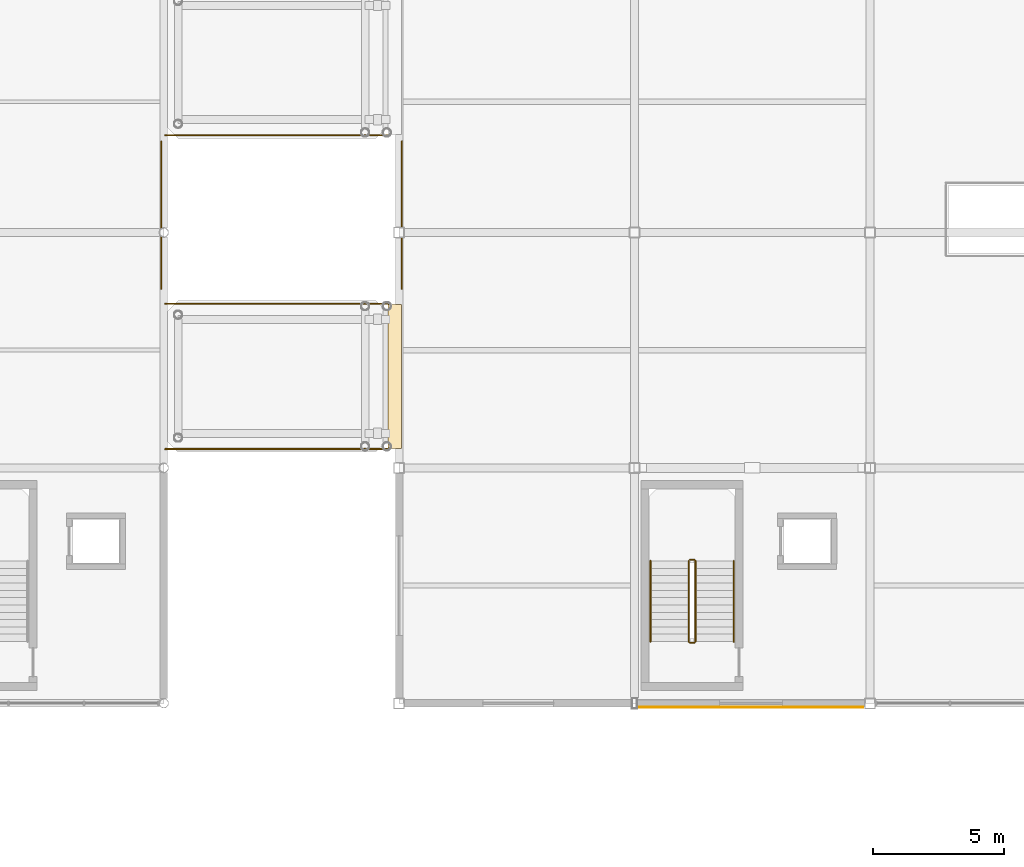
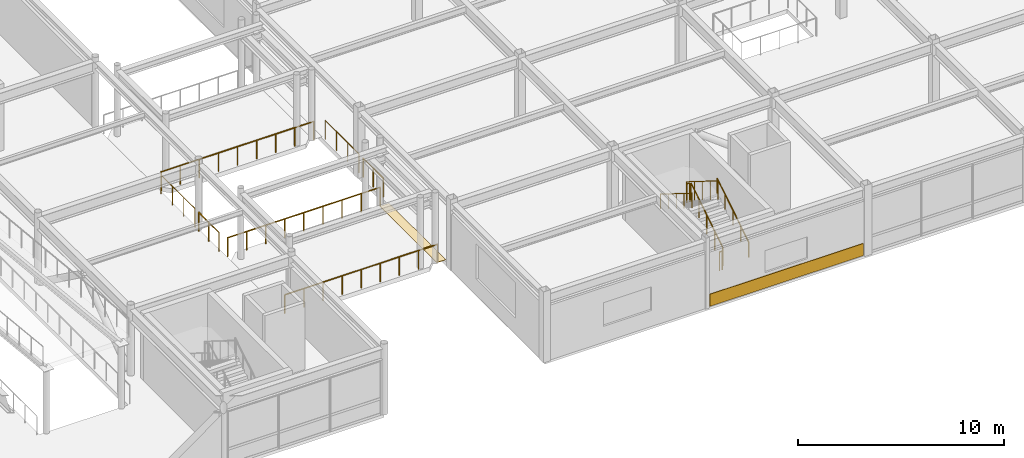
# One storey, part 60 of 70: 13 railings, 2 coverings.
"""IFC4 building model written with IfcOpenShell, lengths in metres."""

from ifc_helpers import new_model, si_unit, direction, frame, origin, origin_2d, place, context, subcontext, project, spatial, polyline, rectangle, circle, outline, extrude, material, layer, layer_set, type_object, element, save


model = new_model("IFC4")

# Units and contexts
model_context = context("Model", 3, precision=1e-05, world=origin(), true_north=direction((0.0, 1.0)))
body_context = subcontext(model_context, "Body", "Model", "MODEL_VIEW")
ifc_project = project(units=[si_unit("LENGTHUNIT", "METRE"), si_unit("AREAUNIT", "SQUARE_METRE"), si_unit("VOLUMEUNIT", "CUBIC_METRE"), si_unit("PLANEANGLEUNIT", "RADIAN"), si_unit("MASSUNIT", "GRAM", prefix="KILO")], contexts=[model_context])

# Site, building, storey
site_placement = place(None, origin())
site = spatial("IfcSite", under=ifc_project, at=site_placement, CompositionType="ELEMENT")
building_placement = place(site_placement, origin())
building = spatial("IfcBuilding", under=site, at=building_placement, Name="Suzunagisa Mobility Hub", CompositionType="ELEMENT")
storey_placement = place(building_placement, frame((0.0, 0.0, 13.5)))
storey = spatial("IfcBuildingStorey", under=building, at=storey_placement, Name="L03", CompositionType="ELEMENT", Elevation=13.5)

# Railings
ifc_material_1 = material(Name="Stainless Steel SUS304", Category="metal")
railing_type_1 = type_object("IfcRailingType", Name="Interior Well Guardrail IGR-01", PredefinedType="GUARDRAIL", material=ifc_material_1)
railing_1_placement = place(storey_placement, frame((56.330078125, 82.360107421875, 0.175048828125)))
element("IfcRailing", 1, at=railing_1_placement, inside=storey, type_object=railing_type_1, Name="L03 ST-07 stair guard 1", PredefinedType="GUARDRAIL", context=body_context, shape_type="SweptSolid", body=[
    extrude(circle(Radius=0.02392578125, at=origin_2d()), frame((0.0, 0.0, 1.09619140625), z_axis=(0.0, 0.847979421464, 0.530029150871), x_axis=(-1.0, 0.0, 0.0)), (0.0, 0.0, 1.0), 3.632080078125),
    extrude(circle(Radius=0.02099609375, at=origin_2d()), origin(), (0.0, 0.0, 1.0), 1.072021484375),
    extrude(circle(Radius=0.02099609375, at=origin_2d()), frame((0.0, 0.77001953125, 0.481201171875)), (0.0, 0.0, 1.0), 1.072021484375),
    extrude(circle(Radius=0.02099609375, at=origin_2d()), frame((0.0, 1.5400390625, 0.96240234375)), (0.0, 0.0, 1.0), 1.072021484375),
    extrude(circle(Radius=0.02099609375, at=origin_2d()), frame((0.0, 2.309814453125, 1.44384765625)), (0.0, 0.0, 1.0), 1.072021484375),
    extrude(circle(Radius=0.02099609375, at=origin_2d()), frame((0.0, 3.079833984375, 1.925048828125)), (0.0, 0.0, 1.0), 1.072021484375),
])
railing_2_placement = place(storey_placement, frame((56.280029296875, 85.489990234375, 2.10009765625)))
element("IfcRailing", 2, at=railing_2_placement, inside=storey, type_object=railing_type_1, Name="L03 ST-07 stair guard 2", PredefinedType="GUARDRAIL", context=body_context, shape_type="SweptSolid", body=[
    extrude(circle(Radius=0.02392578125, at=origin_2d()), frame((0.0, 0.0, 1.09619140625), z_axis=(-1.0, 0.0, 0.0), x_axis=(0.0, -1.0, 0.0)), (0.0, 0.0, 1.0), 0.159912109375),
    extrude(circle(Radius=0.02099609375, at=origin_2d()), origin(), (0.0, 0.0, 1.0), 1.072021484375),
    extrude(circle(Radius=0.02099609375, at=origin_2d()), frame((-0.159912109375, 0.0, 0.0)), (0.0, 0.0, 1.0), 1.072021484375),
])
railing_3_placement = place(storey_placement, frame((56.070068359375, 85.43994140625, 2.27490234375)))
element("IfcRailing", 3, at=railing_3_placement, inside=storey, type_object=railing_type_1, Name="L03 ST-07 stair guard 3", PredefinedType="GUARDRAIL", context=body_context, shape_type="SweptSolid", body=[
    extrude(circle(Radius=0.02392578125, at=origin_2d()), frame((0.0, 0.0, 1.09619140625), z_axis=(0.0, -0.847979421464, 0.530029150871), x_axis=(1.0, 0.0, 0.0)), (0.0, 0.0, 1.0), 3.632080078125),
    extrude(circle(Radius=0.02099609375, at=origin_2d()), origin(), (0.0, 0.0, 1.0), 1.072021484375),
    extrude(circle(Radius=0.02099609375, at=origin_2d()), frame((0.0, -0.77001953125, 0.481201171875)), (0.0, 0.0, 1.0), 1.072021484375),
    extrude(circle(Radius=0.02099609375, at=origin_2d()), frame((0.0, -1.5400390625, 0.96240234375)), (0.0, 0.0, 1.0), 1.072021484375),
    extrude(circle(Radius=0.02099609375, at=origin_2d()), frame((0.0, -2.309814453125, 1.44384765625)), (0.0, 0.0, 1.0), 1.072021484375),
    extrude(circle(Radius=0.02099609375, at=origin_2d()), frame((0.0, -3.079833984375, 1.925048828125)), (0.0, 0.0, 1.0), 1.072021484375),
])
railing_4_placement = place(storey_placement, frame((56.280029296875, 82.31005859375, 0.0)))
element("IfcRailing", 4, at=railing_4_placement, inside=storey, type_object=railing_type_1, Name="L03 ST-07 stair guard 4", PredefinedType="GUARDRAIL", context=body_context, shape_type="SweptSolid", body=[
    extrude(circle(Radius=0.02392578125, at=origin_2d()), frame((0.0, 0.0, 1.09619140625), z_axis=(-1.0, 0.0, 0.0), x_axis=(0.0, -1.0, 0.0)), (0.0, 0.0, 1.0), 0.159912109375),
    extrude(circle(Radius=0.02099609375, at=origin_2d()), origin(), (0.0, 0.0, 1.0), 1.072021484375),
    extrude(circle(Radius=0.02099609375, at=origin_2d()), frame((-0.159912109375, 0.0, 0.0)), (0.0, 0.0, 1.0), 1.072021484375),
])

# Coverings
ifc_material_2 = material(Name="Polished Aggregate Terrazzo Finish")
ifc_layer_1 = layer(ifc_material_2, 0.02001953125)
ifc_layer_set_1 = layer_set([ifc_layer_1], Name="Polished Aggregate Terrazzo Finish")
covering_type_1 = type_object("IfcCoveringType", Name="Polished Terrazzo Heavy-Traffic Flooring FLR-01", PredefinedType="FLOORING", material=ifc_layer_set_1)
covering_1_placement = place(storey_placement, frame((0.0, 0.0, -0.02001953125)))
element("IfcCovering", 5, at=covering_1_placement, inside=storey, type_object=covering_type_1, Name="L03 Flush Hinged Seismic Threshold Plate VRL-L03-S", PredefinedType="FLOORING", context=body_context, shape_type="SweptSolid", body=[
    extrude(outline(polyline([(44.570068359375, 89.75), (45.080078125, 89.75), (45.080078125, 95.25), (44.570068359375, 95.25), (44.570068359375, 89.75)])), origin(), (0.0, 0.0, 1.0), 0.02001953125),
])
ifc_material_3 = material(Name="Vitreous Porcelain Enamel Aluminum Cladding", Category="aluminium")
ifc_layer_2 = layer(ifc_material_3, 0.034912109375)
ifc_layer_set_2 = layer_set([ifc_layer_2], Name="Vitreous Porcelain Enamel Aluminum Cladding")
covering_type_2 = type_object("IfcCoveringType", Name="Porcelain Enamel Spandrel Cladding Band CLD-01", PredefinedType="CLADDING", material=ifc_layer_set_2)
covering_2_placement = place(storey_placement, frame((58.449951171875, 79.8525390625, 0.06005859375), z_axis=(0.0, 0.0, 1.0), x_axis=(1.0, 0.0, 0.0)))
element("IfcCovering", 6, at=covering_2_placement, inside=storey, type_object=covering_type_2, Name="L03 Porcelain Spandrel Cladding Band CLD-22", PredefinedType="CLADDING", context=body_context, shape_type="SweptSolid", body=[
    extrude(rectangle(XDim=8.60009765625, YDim=0.034912109375, at=origin_2d()), origin(), (0.0, 0.0, 1.0), 0.719970703125),
])

# Railings
ifc_material_4 = material(Name="Anodized Aluminum and Stainless Steel SUS316", Category="metal")
railing_type_2 = type_object("IfcRailingType", Name="Streamline Ship-Deck Tubular Balustrade BL-01", PredefinedType="BALUSTRADE", material=ifc_material_4)
railing_5_placement = place(storey_placement, frame((35.89990234375, 95.85009765625, 0.0)))
element("IfcRailing", 7, at=railing_5_placement, inside=storey, type_object=railing_type_2, Name="L03 Skybridge Threshold Side Guardrail BSG-7", PredefinedType="BALUSTRADE", context=body_context, shape_type="SweptSolid", body=[
    extrude(circle(Radius=0.02392578125, at=origin_2d()), frame((0.0, 0.0, 1.11572265625), z_axis=(0.0, 1.0, 0.0), x_axis=(-1.0, 0.0, 0.0)), (0.0, 0.0, 1.0), 1.97216796875),
    extrude(circle(Radius=0.02099609375, at=origin_2d()), origin(), (0.0, 0.0, 1.0), 1.091796875),
    extrude(circle(Radius=0.02099609375, at=origin_2d()), frame((0.0, 0.986083984375, 0.0)), (0.0, 0.0, 1.0), 1.091796875),
    extrude(circle(Radius=0.02099609375, at=origin_2d()), frame((0.0, 1.97216796875, 0.0)), (0.0, 0.0, 1.0), 1.091796875),
])
railing_6_placement = place(storey_placement, frame((35.89990234375, 98.177734375, 0.0)))
element("IfcRailing", 8, at=railing_6_placement, inside=storey, type_object=railing_type_2, Name="L03 Skybridge Threshold Side Guardrail BSG-8", PredefinedType="BALUSTRADE", context=body_context, shape_type="SweptSolid", body=[
    extrude(circle(Radius=0.02392578125, at=origin_2d()), frame((0.0, 0.0, 1.11572265625), z_axis=(0.0, 1.0, 0.0), x_axis=(-1.0, 0.0, 0.0)), (0.0, 0.0, 1.0), 3.30224609375),
    extrude(circle(Radius=0.02099609375, at=origin_2d()), origin(), (0.0, 0.0, 1.0), 1.091796875),
    extrude(circle(Radius=0.02099609375, at=origin_2d()), frame((0.0, 1.100830078125, 0.0)), (0.0, 0.0, 1.0), 1.091796875),
    extrude(circle(Radius=0.02099609375, at=origin_2d()), frame((0.0, 2.201416015625, 0.0)), (0.0, 0.0, 1.0), 1.091796875),
    extrude(circle(Radius=0.02099609375, at=origin_2d()), frame((0.0, 3.30224609375, 0.0)), (0.0, 0.0, 1.0), 1.091796875),
])
railing_7_placement = place(storey_placement, frame((45.10009765625, 101.47998046875, 0.0)))
element("IfcRailing", 9, at=railing_7_placement, inside=storey, type_object=railing_type_2, Name="L03 Skybridge Threshold Side Guardrail BSG-17", PredefinedType="BALUSTRADE", context=body_context, shape_type="SweptSolid", body=[
    extrude(circle(Radius=0.02392578125, at=origin_2d()), frame((0.0, 0.0, 1.11572265625), z_axis=(0.0, -1.0, 0.0), x_axis=(1.0, 0.0, 0.0)), (0.0, 0.0, 1.0), 3.280029296875),
    extrude(circle(Radius=0.02099609375, at=origin_2d()), origin(), (0.0, 0.0, 1.0), 1.091796875),
    extrude(circle(Radius=0.02099609375, at=origin_2d()), frame((0.0, -1.09326171875, 0.0)), (0.0, 0.0, 1.0), 1.091796875),
    extrude(circle(Radius=0.02099609375, at=origin_2d()), frame((0.0, -2.186767578125, 0.0)), (0.0, 0.0, 1.0), 1.091796875),
    extrude(circle(Radius=0.02099609375, at=origin_2d()), frame((0.0, -3.280029296875, 0.0)), (0.0, 0.0, 1.0), 1.091796875),
])
railing_8_placement = place(storey_placement, frame((45.10009765625, 97.800048828125, 0.0)))
element("IfcRailing", 10, at=railing_8_placement, inside=storey, type_object=railing_type_2, Name="L03 Skybridge Threshold Side Guardrail BSG-18", PredefinedType="BALUSTRADE", context=body_context, shape_type="SweptSolid", body=[
    extrude(circle(Radius=0.02392578125, at=origin_2d()), frame((0.0, 0.0, 1.11572265625), z_axis=(0.0, -1.0, 0.0), x_axis=(1.0, 0.0, 0.0)), (0.0, 0.0, 1.0), 1.949951171875),
    extrude(circle(Radius=0.02099609375, at=origin_2d()), origin(), (0.0, 0.0, 1.0), 1.091796875),
    extrude(circle(Radius=0.02099609375, at=origin_2d()), frame((0.0, -0.97509765625, 0.0)), (0.0, 0.0, 1.0), 1.091796875),
    extrude(circle(Radius=0.02099609375, at=origin_2d()), frame((0.0, -1.949951171875, 0.0)), (0.0, 0.0, 1.0), 1.091796875),
])
ifc_material_5 = material(Name="Stainless Steel SUS316", Category="metal")
railing_type_3 = type_object("IfcRailingType", Name="Terrace Stainless Steel Guardrail GR-01", PredefinedType="GUARDRAIL", material=ifc_material_5)
for number, where, name in (
    (11, (36.050048828125, 89.719970703125, 0.0), "L03 Bridge Edge Guardrail VRL-L03-S-83"),
    (12, (36.050048828125, 95.280029296875, 0.0), "L03 Bridge Edge Guardrail VRL-L03-S-84"),
    (13, (36.050048828125, 101.719970703125, 0.0), "L03 Bridge Edge Guardrail VRL-L03-N-85"),
):
    element("IfcRailing", number, at=place(storey_placement, frame(where)), inside=storey, type_object=railing_type_3, Name=name, PredefinedType="GUARDRAIL", context=body_context, shape_type="SweptSolid", body=[
        extrude(circle(Radius=0.02392578125, at=origin_2d()), frame((0.0, 0.0, 1.09619140625), z_axis=(1.0, 0.0, 0.0), x_axis=(0.0, 1.0, 0.0)), (0.0, 0.0, 1.0), 8.550048828125),
        extrude(circle(Radius=0.02099609375, at=origin_2d()), origin(), (0.0, 0.0, 1.0), 1.072021484375),
        extrude(circle(Radius=0.02099609375, at=origin_2d()), frame((1.06884765625, 0.0, 0.0)), (0.0, 0.0, 1.0), 1.072021484375),
        extrude(circle(Radius=0.02099609375, at=origin_2d()), frame((2.137451171875, 0.0, 0.0)), (0.0, 0.0, 1.0), 1.072021484375),
        extrude(circle(Radius=0.02099609375, at=origin_2d()), frame((3.206298828125, 0.0, 0.0)), (0.0, 0.0, 1.0), 1.072021484375),
        extrude(circle(Radius=0.02099609375, at=origin_2d()), frame((4.27490234375, 0.0, 0.0)), (0.0, 0.0, 1.0), 1.072021484375),
        extrude(circle(Radius=0.02099609375, at=origin_2d()), frame((5.34375, 0.0, 0.0)), (0.0, 0.0, 1.0), 1.072021484375),
        extrude(circle(Radius=0.02099609375, at=origin_2d()), frame((6.41259765625, 0.0, 0.0)), (0.0, 0.0, 1.0), 1.072021484375),
        extrude(circle(Radius=0.02099609375, at=origin_2d()), frame((7.481201171875, 0.0, 0.0)), (0.0, 0.0, 1.0), 1.072021484375),
        extrude(circle(Radius=0.02099609375, at=origin_2d()), frame((8.550048828125, 0.0, 0.0)), (0.0, 0.0, 1.0), 1.072021484375),
    ])
railing_type_4 = type_object("IfcRailingType", Name="Tubular Stainless Stair Handrail IHR-01", PredefinedType="HANDRAIL", material=ifc_material_1)
railing_9_placement = place(storey_placement, frame((57.7900390625, 82.360107421875, 0.175048828125)))
element("IfcRailing", 14, at=railing_9_placement, inside=storey, type_object=railing_type_4, Name="L03 ST-07 stair handrail 1", PredefinedType="HANDRAIL", context=body_context, shape_type="SweptSolid", body=[
    extrude(circle(Radius=0.02392578125, at=origin_2d()), frame((0.0, 0.0, 0.8759765625), z_axis=(0.0, 0.847979421464, 0.530029150871), x_axis=(-1.0, 0.0, 0.0)), (0.0, 0.0, 1.0), 3.632080078125),
    extrude(circle(Radius=0.02099609375, at=origin_2d()), origin(), (0.0, 0.0, 1.0), 0.851806640625),
    extrude(circle(Radius=0.02099609375, at=origin_2d()), frame((0.0, 0.77001953125, 0.481201171875)), (0.0, 0.0, 1.0), 0.851806640625),
    extrude(circle(Radius=0.02099609375, at=origin_2d()), frame((0.0, 1.5400390625, 0.96240234375)), (0.0, 0.0, 1.0), 0.851806640625),
    extrude(circle(Radius=0.02099609375, at=origin_2d()), frame((0.0, 2.309814453125, 1.44384765625)), (0.0, 0.0, 1.0), 0.851806640625),
    extrude(circle(Radius=0.02099609375, at=origin_2d()), frame((0.0, 3.079833984375, 1.925048828125)), (0.0, 0.0, 1.0), 0.851806640625),
])
railing_10_placement = place(storey_placement, frame((54.610107421875, 85.43994140625, 2.27490234375)))
element("IfcRailing", 15, at=railing_10_placement, inside=storey, type_object=railing_type_4, Name="L03 ST-07 stair handrail 2", PredefinedType="HANDRAIL", context=body_context, shape_type="SweptSolid", body=[
    extrude(circle(Radius=0.02392578125, at=origin_2d()), frame((0.0, 0.0, 0.8759765625), z_axis=(0.0, -0.847979421464, 0.530029150871), x_axis=(1.0, 0.0, 0.0)), (0.0, 0.0, 1.0), 3.632080078125),
    extrude(circle(Radius=0.02099609375, at=origin_2d()), origin(), (0.0, 0.0, 1.0), 0.851806640625),
    extrude(circle(Radius=0.02099609375, at=origin_2d()), frame((0.0, -0.77001953125, 0.481201171875)), (0.0, 0.0, 1.0), 0.851806640625),
    extrude(circle(Radius=0.02099609375, at=origin_2d()), frame((0.0, -1.5400390625, 0.96240234375)), (0.0, 0.0, 1.0), 0.851806640625),
    extrude(circle(Radius=0.02099609375, at=origin_2d()), frame((0.0, -2.309814453125, 1.44384765625)), (0.0, 0.0, 1.0), 0.851806640625),
    extrude(circle(Radius=0.02099609375, at=origin_2d()), frame((0.0, -3.079833984375, 1.925048828125)), (0.0, 0.0, 1.0), 0.851806640625),
])

save(model, "model.ifc")
